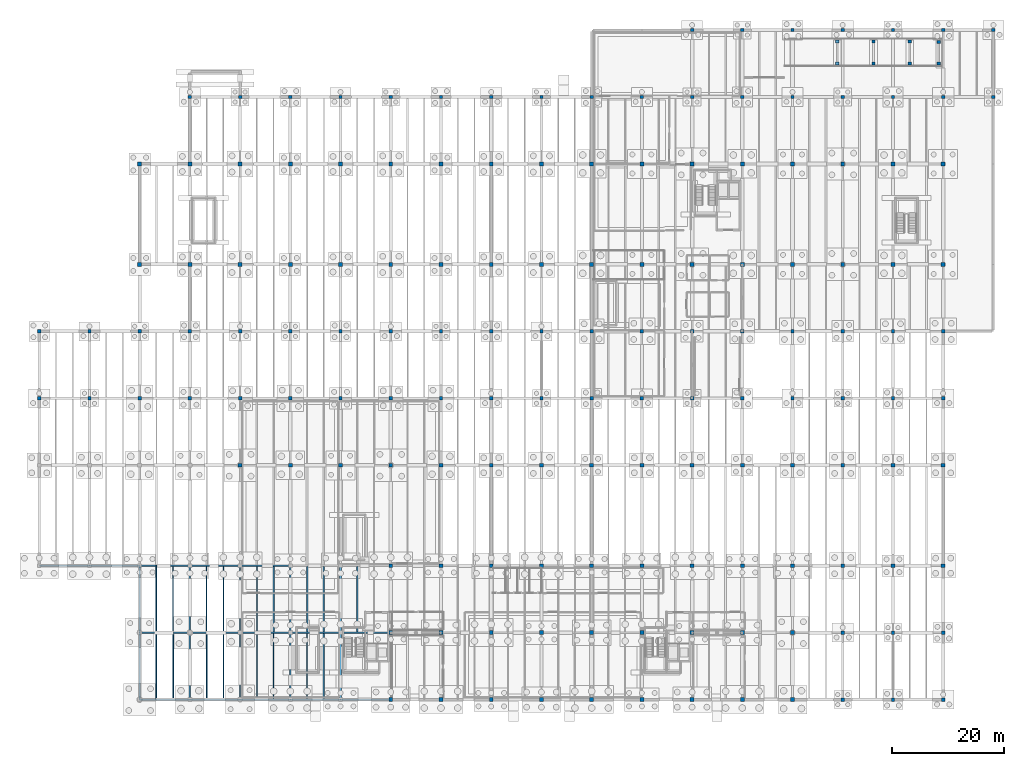
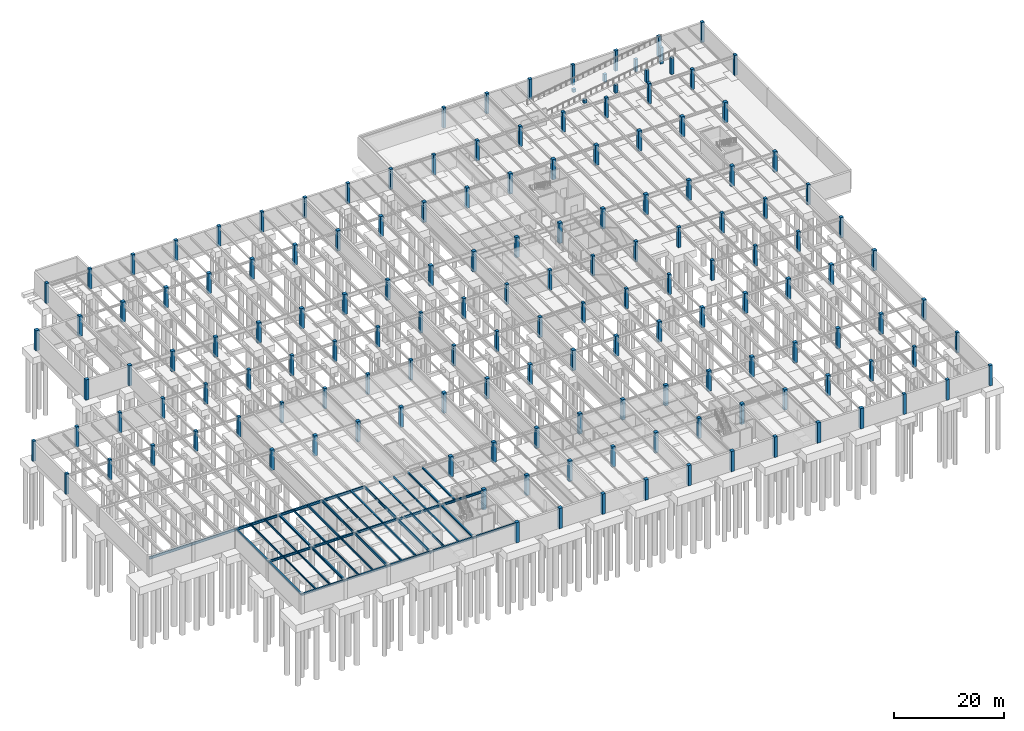
# One storey, part 14 of 40: 155 columns, 42 beams.
"""IFC4 building model written with IfcOpenShell, lengths in metres."""

from ifc_helpers import new_model, si_unit, direction, frame, origin, origin_2d, place, context, subcontext, project, spatial, rectangle, i_section, extrude, material, material_profile, profile_set, type_object, element, save


model = new_model("IFC4")

# Units and contexts
model_context = context("Model", 3, precision=1e-05, world=origin(), true_north=direction((0.0, 1.0)))
body_context = subcontext(model_context, "Body", "Model", "MODEL_VIEW")
ifc_project = project(units=[si_unit("LENGTHUNIT", "METRE"), si_unit("AREAUNIT", "SQUARE_METRE"), si_unit("VOLUMEUNIT", "CUBIC_METRE"), si_unit("PLANEANGLEUNIT", "RADIAN"), si_unit("MASSUNIT", "GRAM", prefix="KILO")], contexts=[model_context])

# Site, building, storey
site_placement = place(None, origin())
site = spatial("IfcSite", under=ifc_project, at=site_placement, CompositionType="ELEMENT")
building_placement = place(site_placement, origin())
building = spatial("IfcBuilding", under=site, at=building_placement, Name="Montelvaro Courts of Justice", CompositionType="ELEMENT")
storey_placement = place(building_placement, frame((0.0, 0.0, -4.5)))
storey = spatial("IfcBuildingStorey", under=building, at=storey_placement, Name="B01", CompositionType="ELEMENT", Elevation=-4.5)

# Columns
ifc_material_1 = material(Name="Concrete C40/50", Category="concrete")
ifc_material_profile_1 = material_profile(ifc_material_1, rectangle(XDim=0.60009765625, YDim=0.60009765625, at=origin_2d()), Name="RC 600x600")
ifc_profile_set_1 = profile_set([ifc_material_profile_1], Name="Concrete C40/50")
column_type_1 = type_object("IfcColumnType", Name="Col_RC600", PredefinedType="COLUMN", material=ifc_profile_set_1)
for number, where, z_axis, x_axis, name in (
    (1, (0.0, 54.0, 0.0), (0.0, 0.0, 1.0), (1.0, 0.0, 0.0), "Column C-21 B01 1/E"),
    (2, (0.0, 66.0, 0.0), (0.0, 0.0, 1.0), (1.0, 0.0, 0.0), "Column C-21 B01 1/F"),
    (3, (9.0, 54.0, 0.0), (0.0, 0.0, 1.0), (1.0, 0.0, 0.0), "Column C-21 B01 2/E"),
    (4, (9.0, 66.0, 0.0), (0.0, 0.0, 1.0), (1.0, 0.0, 0.0), "Column C-21 B01 2/F"),
    (5, (18.0, 54.0, 0.0), (0.0, 0.0, 1.0), (1.0, 0.0, 0.0), "Column C-21 B01 3/E"),
    (6, (18.0, 66.0, 0.0), (0.0, 0.0, 1.0), (1.0, 0.0, 0.0), "Column C-21 B01 3/F"),
    (7, (27.0, 54.0, 0.0), (0.0, 0.0, 1.0), (1.0, 0.0, 0.0), "Column C-21 B01 4/E"),
    (8, (27.0, 66.0, 0.0), (0.0, 0.0, 1.0), (1.0, 0.0, 0.0), "Column C-21 B01 4/F"),
    (9, (27.0, 108.0, 0.0), (0.0, 0.0, 1.0), (1.0, 0.0, 0.0), "Column C-21 B01 4/I"),
    (10, (36.0, 54.0, 0.0), (0.0, 0.0, 1.0), (1.0, 0.0, 0.0), "Column C-21 B01 5/E"),
    (11, (36.0, 66.0, 0.0), (0.0, 0.0, 1.0), (1.0, 0.0, 0.0), "Column C-21 B01 5/F"),
    (12, (36.0, 108.0, 0.0), (0.0, 0.0, 1.0), (1.0, 0.0, 0.0), "Column C-21 B01 5/I"),
    (13, (45.0, 54.0, 0.0), (0.0, 0.0, 1.0), (1.0, 0.0, 0.0), "Column C-21 B01 6/E"),
    (14, (45.0, 66.0, 0.0), (0.0, 0.0, 1.0), (1.0, 0.0, 0.0), "Column C-21 B01 6/F"),
    (15, (45.0, 108.0, 0.0), (0.0, 0.0, 1.0), (1.0, 0.0, 0.0), "Column C-21 B01 6/I"),
    (16, (54.0, 54.0, 0.0), (0.0, 0.0, 1.0), (1.0, 0.0, 0.0), "Column C-21 B01 7/E"),
    (17, (54.0, 66.0, 0.0), (0.0, 0.0, 1.0), (1.0, 0.0, 0.0), "Column C-21 B01 7/F"),
    (18, (54.0, 108.0, 0.0), (0.0, 0.0, 1.0), (1.0, 0.0, 0.0), "Column C-21 B01 7/I"),
    (19, (63.0, 54.0, 0.0), (0.0, 0.0, 1.0), (1.0, 0.0, 0.0), "Column C-21 B01 8/E"),
    (20, (63.0, 66.0, 0.0), (0.0, 0.0, 1.0), (1.0, 0.0, 0.0), "Column C-21 B01 8/F"),
    (21, (63.0, 108.0, 0.0), (0.0, 0.0, 1.0), (1.0, 0.0, 0.0), "Column C-21 B01 8/I"),
    (22, (72.0, 54.0, 0.0), (0.0, 0.0, 1.0), (1.0, 0.0, 0.0), "Column C-21 B01 9/E"),
    (23, (72.0, 66.0, 0.0), (0.0, 0.0, 1.0), (1.0, 0.0, 0.0), "Column C-21 B01 9/F"),
    (24, (72.0, 108.0, 0.0), (0.0, 0.0, 1.0), (1.0, 0.0, 0.0), "Column C-21 B01 9/I"),
    (25, (81.0, 54.0, 0.0), (0.0, 0.0, 1.0), (1.0, 0.0, 0.0), "Column C-21 B01 10/E"),
    (26, (81.0, 66.0, 0.0), (0.0, 0.0, 1.0), (1.0, 0.0, 0.0), "Column C-21 B01 10/F"),
    (27, (81.0, 108.0, 0.0), (0.0, 0.0, 1.0), (1.0, 0.0, 0.0), "Column C-21 B01 10/I"),
    (28, (90.0, 54.0, 0.0), (0.0, 0.0, 1.0), (1.0, 0.0, 0.0), "Column C-21 B01 11/E"),
    (29, (90.0, 66.0, 0.0), (0.0, 0.0, 1.0), (1.0, 0.0, 0.0), "Column C-21 B01 11/F"),
    (30, (90.0, 108.0, 0.0), (0.0, 0.0, 1.0), (1.0, 0.0, 0.0), "Column C-21 B01 11/I"),
    (31, (99.0, 54.0, 0.0), (0.0, 0.0, 1.0), (1.0, 0.0, 0.0), "Column C-21 B01 12/E"),
    (32, (99.0, 66.0, 0.0), (0.0, 0.0, 1.0), (1.0, 0.0, 0.0), "Column C-21 B01 12/F"),
    (33, (99.0, 108.0, 0.0), (0.0, 0.0, 1.0), (1.0, 0.0, 0.0), "Column C-21 B01 12/I"),
    (34, (108.0, 54.0, 0.0), (0.0, 0.0, 1.0), (1.0, 0.0, 0.0), "Column C-21 B01 13/E"),
    (35, (108.0, 66.0, 0.0), (0.0, 0.0, 1.0), (1.0, 0.0, 0.0), "Column C-21 B01 13/F"),
    (36, (108.0, 108.0, 0.0), (0.0, 0.0, 1.0), (1.0, 0.0, 0.0), "Column C-21 B01 13/I"),
    (37, (117.0, 54.0, 0.0), (0.0, 0.0, 1.0), (1.0, 0.0, 0.0), "Column C-21 B01 14/E"),
    (38, (117.0, 66.0, 0.0), (0.0, 0.0, 1.0), (1.0, 0.0, 0.0), "Column C-21 B01 14/F"),
    (39, (117.0, 108.0, 0.0), (0.0, 0.0, 1.0), (1.0, 0.0, 0.0), "Column C-21 B01 14/I"),
    (40, (117.0, 120.0, 0.0), (0.0, 0.0, 1.0), (1.0, 0.0, 0.0), "Column C-21 B01 14/J"),
    (41, (126.0, 54.0, 0.0), (0.0, 0.0, 1.0), (1.0, 0.0, 0.0), "Column C-21 B01 15/E"),
    (42, (126.0, 66.0, 0.0), (0.0, 0.0, 1.0), (1.0, 0.0, 0.0), "Column C-21 B01 15/F"),
    (43, (126.0, 108.0, 0.0), (0.0, 0.0, 1.0), (1.0, 0.0, 0.0), "Column C-21 B01 15/I"),
    (44, (126.0, 120.0, 0.0), (0.0, 0.0, 1.0), (1.0, 0.0, 0.0), "Column C-21 B01 15/J"),
    (45, (135.0, 54.0, 0.0), (0.0, 0.0, 1.0), (1.0, 0.0, 0.0), "Column C-21 B01 16/E"),
    (46, (135.0, 66.0, 0.0), (0.0, 0.0, 1.0), (1.0, 0.0, 0.0), "Column C-21 B01 16/F"),
    (47, (135.0, 108.0, 0.0), (0.0, 0.0, 1.0), (1.0, 0.0, 0.0), "Column C-21 B01 16/I"),
    (48, (135.0, 120.0, 0.0), (0.0, 0.0, 1.0), (1.0, 0.0, 0.0), "Column C-21 B01 16/J"),
    (49, (144.0, 0.0, 0.0), (0.0, 0.0, 1.0), (1.0, 0.0, 0.0), "Column C-21 B01 17/A"),
    (50, (144.0, 12.0, 0.0), (0.0, 0.0, 1.0), (1.0, 0.0, 0.0), "Column C-21 B01 17/B"),
    (51, (144.0, 54.0, 0.0), (0.0, 0.0, 1.0), (1.0, 0.0, 0.0), "Column C-21 B01 17/E"),
    (52, (144.0, 66.0, 0.0), (0.0, 0.0, 1.0), (1.0, 0.0, 0.0), "Column C-21 B01 17/F"),
    (53, (144.0, 108.0, 0.0), (0.0, 0.0, 1.0), (1.0, 0.0, 0.0), "Column C-21 B01 17/I"),
    (54, (144.0, 120.0, 0.0), (0.0, 0.0, 1.0), (1.0, 0.0, 0.0), "Column C-21 B01 17/J"),
    (55, (153.0, 0.0, 0.0), (0.0, 0.0, 1.0), (1.0, 0.0, 0.0), "Column C-21 B01 18/A"),
    (56, (153.0, 12.0, 0.0), (0.0, 0.0, 1.0), (1.0, 0.0, 0.0), "Column C-21 B01 18/B"),
    (57, (153.0, 54.0, 0.0), (0.0, 0.0, 1.0), (1.0, 0.0, 0.0), "Column C-21 B01 18/E"),
    (58, (153.0, 66.0, 0.0), (0.0, 0.0, 1.0), (1.0, 0.0, 0.0), "Column C-21 B01 18/F"),
    (59, (153.0, 108.0, 0.0), (0.0, 0.0, 1.0), (1.0, 0.0, 0.0), "Column C-21 B01 18/I"),
    (60, (153.0, 120.0, 0.0), (0.0, 0.0, 1.0), (1.0, 0.0, 0.0), "Column C-21 B01 18/J"),
    (61, (162.0, 0.0, 0.0), (0.0, 0.0, 1.0), (1.0, 0.0, 0.0), "Column C-21 B01 19/A"),
    (62, (162.0, 12.0, 0.0), (0.0, 0.0, 1.0), (1.0, 0.0, 0.0), "Column C-21 B01 19/B"),
    (63, (162.0, 54.0, 0.0), (0.0, 0.0, 1.0), (1.0, 0.0, 0.0), "Column C-21 B01 19/E"),
    (64, (162.0, 66.0, 0.0), (0.0, 0.0, 1.0), (1.0, 0.0, 0.0), "Column C-21 B01 19/F"),
    (65, (162.0, 108.0, 0.0), (0.0, 0.0, 1.0), (1.0, 0.0, 0.0), "Column C-21 B01 19/I"),
    (66, (162.0, 120.0, 0.0), (0.0, 0.0, 1.0), (1.0, 0.0, 0.0), "Column C-21 B01 19/J"),
    (67, (171.0, 108.0, 0.0), (0.0, 0.0, 1.0), (1.0, 0.0, 0.0), "Column C-21 B01 20/I"),
    (68, (171.0, 120.0, 0.0), (0.0, 0.0, 1.0), (1.0, 0.0, 0.0), "Column C-21 B01 20/J"),
):
    element("IfcColumn", number, at=place(storey_placement, frame(where, z_axis=z_axis, x_axis=x_axis)), inside=storey, type_object=column_type_1, Name=name, PredefinedType="COLUMN", context=body_context, shape_type="SweptSolid", body=[
        extrude(rectangle(XDim=0.60009765625, YDim=0.60009765625, at=origin_2d()), origin(), (0.0, 0.0, 1.0), 4.5),
    ])
for number, where, z_axis, x_axis, name in (
    (69, (161.199951171875, 114.0, 0.0), (0.0, 0.0, 1.0), (1.0, 0.0, 0.0), "Ramp VR-01 Top Pier A"),
    (70, (161.199951171875, 117.85009765625, 0.0), (0.0, 0.0, 1.0), (1.0, 0.0, 0.0), "Ramp VR-01 Top Pier B"),
):
    element("IfcColumn", number, at=place(storey_placement, frame(where, z_axis=z_axis, x_axis=x_axis)), inside=storey, type_object=column_type_1, Name=name, PredefinedType="COLUMN", context=body_context, shape_type="SweptSolid", body=[
        extrude(rectangle(XDim=0.60009765625, YDim=0.60009765625, at=origin_2d()), origin(), (0.0, 0.0, 1.0), 3.6044921875),
    ])
for number, where, z_axis, x_axis, name in (
    (71, (143.0, 114.0, 0.0), (0.0, 0.0, 1.0), (1.0, 0.0, 0.0), "Ramp VR-01 Support Pier 1A"),
    (72, (143.0, 117.949951171875, 0.0), (0.0, 0.0, 1.0), (1.0, 0.0, 0.0), "Ramp VR-01 Support Pier 1B"),
):
    element("IfcColumn", number, at=place(storey_placement, frame(where, z_axis=z_axis, x_axis=x_axis)), inside=storey, type_object=column_type_1, Name=name, PredefinedType="COLUMN", context=body_context, shape_type="SweptSolid", body=[
        extrude(rectangle(XDim=0.60009765625, YDim=0.60009765625, at=origin_2d()), origin(), (0.0, 0.0, 1.0), 0.6796875),
    ])
for number, where, z_axis, x_axis, name in (
    (73, (149.5, 114.0, 0.0), (0.0, 0.0, 1.0), (1.0, 0.0, 0.0), "Ramp VR-01 Support Pier 2A"),
    (74, (149.5, 117.949951171875, 0.0), (0.0, 0.0, 1.0), (1.0, 0.0, 0.0), "Ramp VR-01 Support Pier 2B"),
):
    element("IfcColumn", number, at=place(storey_placement, frame(where, z_axis=z_axis, x_axis=x_axis)), inside=storey, type_object=column_type_1, Name=name, PredefinedType="COLUMN", context=body_context, shape_type="SweptSolid", body=[
        extrude(rectangle(XDim=0.60009765625, YDim=0.60009765625, at=origin_2d()), origin(), (0.0, 0.0, 1.0), 1.724365234375),
    ])
for number, where, z_axis, x_axis, name in (
    (75, (156.0, 114.0, 0.0), (0.0, 0.0, 1.0), (1.0, 0.0, 0.0), "Ramp VR-01 Support Pier 3A"),
    (76, (156.0, 117.949951171875, 0.0), (0.0, 0.0, 1.0), (1.0, 0.0, 0.0), "Ramp VR-01 Support Pier 3B"),
):
    element("IfcColumn", number, at=place(storey_placement, frame(where, z_axis=z_axis, x_axis=x_axis)), inside=storey, type_object=column_type_1, Name=name, PredefinedType="COLUMN", context=body_context, shape_type="SweptSolid", body=[
        extrude(rectangle(XDim=0.60009765625, YDim=0.60009765625, at=origin_2d()), origin(), (0.0, 0.0, 1.0), 2.768798828125),
    ])
ifc_material_profile_2 = material_profile(ifc_material_1, rectangle(XDim=0.699951171875, YDim=0.699951171875, at=origin_2d()), Name="RC 700x700")
ifc_profile_set_2 = profile_set([ifc_material_profile_2], Name="Concrete C40/50")
column_type_2 = type_object("IfcColumnType", Name="Col_RC700", PredefinedType="COLUMN", material=ifc_profile_set_2)
for number, where, z_axis, x_axis, name in (
    (77, (18.0, 78.0, 0.0), (0.0, 0.0, 1.0), (1.0, 0.0, 0.0), "Column C-22 B01 3/G"),
    (78, (18.0, 96.0, 0.0), (0.0, 0.0, 1.0), (1.0, 0.0, 0.0), "Column C-22 B01 3/H"),
    (79, (27.0, 78.0, 0.0), (0.0, 0.0, 1.0), (1.0, 0.0, 0.0), "Column C-22 B01 4/G"),
    (80, (27.0, 96.0, 0.0), (0.0, 0.0, 1.0), (1.0, 0.0, 0.0), "Column C-22 B01 4/H"),
    (81, (36.0, 42.0, 0.0), (0.0, 0.0, 1.0), (1.0, 0.0, 0.0), "Column C-22 B01 5/D"),
    (82, (36.0, 78.0, 0.0), (0.0, 0.0, 1.0), (1.0, 0.0, 0.0), "Column C-22 B01 5/G"),
    (83, (36.0, 96.0, 0.0), (0.0, 0.0, 1.0), (1.0, 0.0, 0.0), "Column C-22 B01 5/H"),
    (84, (45.0, 42.0, 0.0), (0.0, 0.0, 1.0), (1.0, 0.0, 0.0), "Column C-22 B01 6/D"),
    (85, (45.0, 78.0, 0.0), (0.0, 0.0, 1.0), (1.0, 0.0, 0.0), "Column C-22 B01 6/G"),
    (86, (45.0, 96.0, 0.0), (0.0, 0.0, 1.0), (1.0, 0.0, 0.0), "Column C-22 B01 6/H"),
    (87, (54.0, 42.0, 0.0), (0.0, 0.0, 1.0), (1.0, 0.0, 0.0), "Column C-22 B01 7/D"),
    (88, (54.0, 78.0, 0.0), (0.0, 0.0, 1.0), (1.0, 0.0, 0.0), "Column C-22 B01 7/G"),
    (89, (54.0, 96.0, 0.0), (0.0, 0.0, 1.0), (1.0, 0.0, 0.0), "Column C-22 B01 7/H"),
    (90, (63.0, 0.0, 0.0), (0.0, 0.0, 1.0), (1.0, 0.0, 0.0), "Column C-22 B01 8/A"),
    (91, (63.0, 12.0, 0.0), (0.0, 0.0, 1.0), (1.0, 0.0, 0.0), "Column C-22 B01 8/B"),
    (92, (63.0, 24.0, 0.0), (0.0, 0.0, 1.0), (1.0, 0.0, 0.0), "Column C-22 B01 8/C"),
    (93, (63.0, 42.0, 0.0), (0.0, 0.0, 1.0), (1.0, 0.0, 0.0), "Column C-22 B01 8/D"),
    (94, (63.0, 78.0, 0.0), (0.0, 0.0, 1.0), (1.0, 0.0, 0.0), "Column C-22 B01 8/G"),
    (95, (63.0, 96.0, 0.0), (0.0, 0.0, 1.0), (1.0, 0.0, 0.0), "Column C-22 B01 8/H"),
    (96, (72.0, 0.0, 0.0), (0.0, 0.0, 1.0), (1.0, 0.0, 0.0), "Column C-22 B01 9/A"),
    (97, (72.0, 12.0, 0.0), (0.0, 0.0, 1.0), (1.0, 0.0, 0.0), "Column C-22 B01 9/B"),
    (98, (72.0, 24.0, 0.0), (0.0, 0.0, 1.0), (1.0, 0.0, 0.0), "Column C-22 B01 9/C"),
    (99, (72.0, 42.0, 0.0), (0.0, 0.0, 1.0), (1.0, 0.0, 0.0), "Column C-22 B01 9/D"),
    (100, (72.0, 78.0, 0.0), (0.0, 0.0, 1.0), (1.0, 0.0, 0.0), "Column C-22 B01 9/G"),
    (101, (72.0, 96.0, 0.0), (0.0, 0.0, 1.0), (1.0, 0.0, 0.0), "Column C-22 B01 9/H"),
    (102, (81.0, 0.0, 0.0), (0.0, 0.0, 1.0), (1.0, 0.0, 0.0), "Column C-22 B01 10/A"),
    (103, (81.0, 12.0, 0.0), (0.0, 0.0, 1.0), (1.0, 0.0, 0.0), "Column C-22 B01 10/B"),
    (104, (81.0, 24.0, 0.0), (0.0, 0.0, 1.0), (1.0, 0.0, 0.0), "Column C-22 B01 10/C"),
    (105, (81.0, 42.0, 0.0), (0.0, 0.0, 1.0), (1.0, 0.0, 0.0), "Column C-22 B01 10/D"),
    (106, (81.0, 78.0, 0.0), (0.0, 0.0, 1.0), (1.0, 0.0, 0.0), "Column C-22 B01 10/G"),
    (107, (81.0, 96.0, 0.0), (0.0, 0.0, 1.0), (1.0, 0.0, 0.0), "Column C-22 B01 10/H"),
    (108, (90.0, 0.0, 0.0), (0.0, 0.0, 1.0), (1.0, 0.0, 0.0), "Column C-22 B01 11/A"),
    (109, (90.0, 12.0, 0.0), (0.0, 0.0, 1.0), (1.0, 0.0, 0.0), "Column C-22 B01 11/B"),
    (110, (90.0, 24.0, 0.0), (0.0, 0.0, 1.0), (1.0, 0.0, 0.0), "Column C-22 B01 11/C"),
    (111, (90.0, 42.0, 0.0), (0.0, 0.0, 1.0), (1.0, 0.0, 0.0), "Column C-22 B01 11/D"),
    (112, (90.0, 78.0, 0.0), (0.0, 0.0, 1.0), (1.0, 0.0, 0.0), "Column C-22 B01 11/G"),
    (113, (90.0, 96.0, 0.0), (0.0, 0.0, 1.0), (1.0, 0.0, 0.0), "Column C-22 B01 11/H"),
    (114, (99.0, 0.0, 0.0), (0.0, 0.0, 1.0), (1.0, 0.0, 0.0), "Column C-22 B01 12/A"),
    (115, (99.0, 12.0, 0.0), (0.0, 0.0, 1.0), (1.0, 0.0, 0.0), "Column C-22 B01 12/B"),
    (116, (99.0, 24.0, 0.0), (0.0, 0.0, 1.0), (1.0, 0.0, 0.0), "Column C-22 B01 12/C"),
    (117, (99.0, 42.0, 0.0), (0.0, 0.0, 1.0), (1.0, 0.0, 0.0), "Column C-22 B01 12/D"),
    (118, (99.0, 78.0, 0.0), (0.0, 0.0, 1.0), (1.0, 0.0, 0.0), "Column C-22 B01 12/G"),
    (119, (99.0, 96.0, 0.0), (0.0, 0.0, 1.0), (1.0, 0.0, 0.0), "Column C-22 B01 12/H"),
    (120, (108.0, 0.0, 0.0), (0.0, 0.0, 1.0), (1.0, 0.0, 0.0), "Column C-22 B01 13/A"),
    (121, (108.0, 12.0, 0.0), (0.0, 0.0, 1.0), (1.0, 0.0, 0.0), "Column C-22 B01 13/B"),
    (122, (108.0, 24.0, 0.0), (0.0, 0.0, 1.0), (1.0, 0.0, 0.0), "Column C-22 B01 13/C"),
    (123, (108.0, 42.0, 0.0), (0.0, 0.0, 1.0), (1.0, 0.0, 0.0), "Column C-22 B01 13/D"),
    (124, (108.0, 78.0, 0.0), (0.0, 0.0, 1.0), (1.0, 0.0, 0.0), "Column C-22 B01 13/G"),
    (125, (108.0, 96.0, 0.0), (0.0, 0.0, 1.0), (1.0, 0.0, 0.0), "Column C-22 B01 13/H"),
    (126, (117.0, 0.0, 0.0), (0.0, 0.0, 1.0), (1.0, 0.0, 0.0), "Column C-22 B01 14/A"),
    (127, (117.0, 12.0, 0.0), (0.0, 0.0, 1.0), (1.0, 0.0, 0.0), "Column C-22 B01 14/B"),
    (128, (117.0, 24.0, 0.0), (0.0, 0.0, 1.0), (1.0, 0.0, 0.0), "Column C-22 B01 14/C"),
    (129, (117.0, 42.0, 0.0), (0.0, 0.0, 1.0), (1.0, 0.0, 0.0), "Column C-22 B01 14/D"),
    (130, (117.0, 78.0, 0.0), (0.0, 0.0, 1.0), (1.0, 0.0, 0.0), "Column C-22 B01 14/G"),
    (131, (117.0, 96.0, 0.0), (0.0, 0.0, 1.0), (1.0, 0.0, 0.0), "Column C-22 B01 14/H"),
    (132, (126.0, 0.0, 0.0), (0.0, 0.0, 1.0), (1.0, 0.0, 0.0), "Column C-22 B01 15/A"),
    (133, (126.0, 12.0, 0.0), (0.0, 0.0, 1.0), (1.0, 0.0, 0.0), "Column C-22 B01 15/B"),
    (134, (126.0, 24.0, 0.0), (0.0, 0.0, 1.0), (1.0, 0.0, 0.0), "Column C-22 B01 15/C"),
    (135, (126.0, 42.0, 0.0), (0.0, 0.0, 1.0), (1.0, 0.0, 0.0), "Column C-22 B01 15/D"),
    (136, (126.0, 78.0, 0.0), (0.0, 0.0, 1.0), (1.0, 0.0, 0.0), "Column C-22 B01 15/G"),
    (137, (126.0, 96.0, 0.0), (0.0, 0.0, 1.0), (1.0, 0.0, 0.0), "Column C-22 B01 15/H"),
    (138, (135.0, 0.0, 0.0), (0.0, 0.0, 1.0), (1.0, 0.0, 0.0), "Column C-22 B01 16/A"),
    (139, (135.0, 12.0, 0.0), (0.0, 0.0, 1.0), (1.0, 0.0, 0.0), "Column C-22 B01 16/B"),
    (140, (135.0, 24.0, 0.0), (0.0, 0.0, 1.0), (1.0, 0.0, 0.0), "Column C-22 B01 16/C"),
    (141, (135.0, 42.0, 0.0), (0.0, 0.0, 1.0), (1.0, 0.0, 0.0), "Column C-22 B01 16/D"),
    (142, (135.0, 78.0, 0.0), (0.0, 0.0, 1.0), (1.0, 0.0, 0.0), "Column C-22 B01 16/G"),
    (143, (135.0, 96.0, 0.0), (0.0, 0.0, 1.0), (1.0, 0.0, 0.0), "Column C-22 B01 16/H"),
    (144, (144.0, 24.0, 0.0), (0.0, 0.0, 1.0), (1.0, 0.0, 0.0), "Column C-22 B01 17/C"),
    (145, (144.0, 42.0, 0.0), (0.0, 0.0, 1.0), (1.0, 0.0, 0.0), "Column C-22 B01 17/D"),
    (146, (144.0, 78.0, 0.0), (0.0, 0.0, 1.0), (1.0, 0.0, 0.0), "Column C-22 B01 17/G"),
    (147, (144.0, 96.0, 0.0), (0.0, 0.0, 1.0), (1.0, 0.0, 0.0), "Column C-22 B01 17/H"),
    (148, (153.0, 24.0, 0.0), (0.0, 0.0, 1.0), (1.0, 0.0, 0.0), "Column C-22 B01 18/C"),
    (149, (153.0, 42.0, 0.0), (0.0, 0.0, 1.0), (1.0, 0.0, 0.0), "Column C-22 B01 18/D"),
    (150, (153.0, 78.0, 0.0), (0.0, 0.0, 1.0), (1.0, 0.0, 0.0), "Column C-22 B01 18/G"),
    (151, (153.0, 96.0, 0.0), (0.0, 0.0, 1.0), (1.0, 0.0, 0.0), "Column C-22 B01 18/H"),
    (152, (162.0, 24.0, 0.0), (0.0, 0.0, 1.0), (1.0, 0.0, 0.0), "Column C-22 B01 19/C"),
    (153, (162.0, 42.0, 0.0), (0.0, 0.0, 1.0), (1.0, 0.0, 0.0), "Column C-22 B01 19/D"),
    (154, (162.0, 78.0, 0.0), (0.0, 0.0, 1.0), (1.0, 0.0, 0.0), "Column C-22 B01 19/G"),
    (155, (162.0, 96.0, 0.0), (0.0, 0.0, 1.0), (1.0, 0.0, 0.0), "Column C-22 B01 19/H"),
):
    element("IfcColumn", number, at=place(storey_placement, frame(where, z_axis=z_axis, x_axis=x_axis)), inside=storey, type_object=column_type_2, Name=name, PredefinedType="COLUMN", context=body_context, shape_type="SweptSolid", body=[
        extrude(rectangle(XDim=0.699951171875, YDim=0.699951171875, at=origin_2d()), origin(), (0.0, 0.0, 1.0), 4.5),
    ])

# Beams
ifc_material_2 = material(Name="Steel S355", Category="steel")
ifc_material_profile_3 = material_profile(ifc_material_2, i_section(OverallWidth=0.280029296875, OverallDepth=0.27001953125, WebThickness=0.008056640625, FlangeThickness=0.012939453125, at=origin_2d()), Name="HEA 280")
ifc_profile_set_3 = profile_set([ifc_material_profile_3], Name="Steel S355")
beam_type_1 = type_object("IfcBeamType", Name="Beam_HEA280", PredefinedType="BEAM", material=ifc_profile_set_3)
for number, where, z_axis, x_axis, name in (
    (156, (42.0, 12.110107421875, 4.18505859375), (0.0, 1.0, 0.0), (-1.0, 0.0, 0.0), "Beam B-14 B01"),
    (157, (51.0, 0.110107421875, 4.044921875), (0.0, 1.0, 0.0), (-1.0, 0.0, 0.0), "Beam B-14 B01"),
    (158, (48.0, 12.110107421875, 4.044921875), (0.0, 1.0, 0.0), (-1.0, 0.0, 0.0), "Beam B-14 B01"),
):
    element("IfcBeam", number, at=place(storey_placement, frame(where, z_axis=z_axis, x_axis=x_axis)), inside=storey, type_object=beam_type_1, Name=name, PredefinedType="BEAM", context=body_context, shape_type="SweptSolid", body=[
        extrude(i_section(OverallWidth=0.280029296875, OverallDepth=0.27001953125, WebThickness=0.008056640625, FlangeThickness=0.012939453125, at=origin_2d()), origin(), (0.0, 0.0, 1.0), 11.77978515625),
    ])
ifc_material_profile_4 = material_profile(ifc_material_2, i_section(OverallWidth=0.300048828125, OverallDepth=0.31005859375, WebThickness=0.009033203125, FlangeThickness=0.015380859375, at=origin_2d()), Name="HEA 320")
ifc_profile_set_4 = profile_set([ifc_material_profile_4], Name="Steel S355")
beam_type_2 = type_object("IfcBeamType", Name="Beam_HEA320", PredefinedType="BEAM", material=ifc_profile_set_4)
for number, where, z_axis, x_axis, name in (
    (159, (51.0, 12.110107421875, 4.02490234375), (0.0, 1.0, 0.0), (-1.0, 0.0, 0.0), "Beam B-15 B01"),
    (160, (57.0, 12.110107421875, 4.02490234375), (0.0, 1.0, 0.0), (-1.0, 0.0, 0.0), "Beam B-15 B01"),
):
    element("IfcBeam", number, at=place(storey_placement, frame(where, z_axis=z_axis, x_axis=x_axis)), inside=storey, type_object=beam_type_2, Name=name, PredefinedType="BEAM", context=body_context, shape_type="SweptSolid", body=[
        extrude(i_section(OverallWidth=0.300048828125, OverallDepth=0.31005859375, WebThickness=0.009033203125, FlangeThickness=0.015380859375, at=origin_2d()), origin(), (0.0, 0.0, 1.0), 11.77978515625),
    ])
ifc_material_profile_5 = material_profile(ifc_material_2, i_section(OverallWidth=0.300048828125, OverallDepth=0.35009765625, WebThickness=0.010009765625, FlangeThickness=0.017578125, at=origin_2d()), Name="HEA 360")
ifc_profile_set_5 = profile_set([ifc_material_profile_5], Name="Steel S355")
beam_type_3 = type_object("IfcBeamType", Name="Beam_HEA360", PredefinedType="USERDEFINED", material=ifc_profile_set_5)
for number, where, z_axis, x_axis, name in (
    (161, (54.0, 0.0, 4.0048828125), (0.0, 1.0, 0.0), (-1.0, 0.0, 0.0), "Beam B-16 B01"),
    (162, (54.0, 12.0, 4.0048828125), (0.0, 1.0, 0.0), (-1.0, 0.0, 0.0), "Beam B-16 B01"),
):
    element("IfcBeam", number, at=place(storey_placement, frame(where, z_axis=z_axis, x_axis=x_axis)), inside=storey, type_object=beam_type_3, Name=name, ObjectType="GIRDER", PredefinedType="USERDEFINED", context=body_context, shape_type="SweptSolid", body=[
        extrude(i_section(OverallWidth=0.300048828125, OverallDepth=0.35009765625, WebThickness=0.010009765625, FlangeThickness=0.017578125, at=origin_2d()), origin(), (0.0, 0.0, 1.0), 12.0),
    ])
ifc_material_profile_6 = material_profile(ifc_material_2, i_section(OverallWidth=0.300048828125, OverallDepth=0.43994140625, WebThickness=0.011474609375, FlangeThickness=0.02099609375, at=origin_2d()), Name="HEA 450")
ifc_profile_set_6 = profile_set([ifc_material_profile_6], Name="Steel S355")
beam_type_4 = type_object("IfcBeamType", Name="Beam_HEA450", PredefinedType="USERDEFINED", material=ifc_profile_set_6)
for number, where, z_axis, x_axis, name in (
    (163, (18.0, 0.0, 4.10009765625), (1.0, 0.0, 0.0), (0.0, 1.0, 0.0), "Beam B-18 B01"),
    (164, (27.0, 0.0, 4.10009765625), (1.0, 0.0, 0.0), (0.0, 1.0, 0.0), "Beam B-18 B01"),
    (165, (36.0, 0.0, 4.10009765625), (1.0, 0.0, 0.0), (0.0, 1.0, 0.0), "Beam B-18 B01"),
    (166, (45.0, 0.0, 4.10009765625), (1.0, 0.0, 0.0), (0.0, 1.0, 0.0), "Beam B-18 B01"),
    (167, (54.0, 0.0, 4.10009765625), (1.0, 0.0, 0.0), (0.0, 1.0, 0.0), "Beam B-18 B01"),
):
    element("IfcBeam", number, at=place(storey_placement, frame(where, z_axis=z_axis, x_axis=x_axis)), inside=storey, type_object=beam_type_4, Name=name, ObjectType="GIRDER", PredefinedType="USERDEFINED", context=body_context, shape_type="SweptSolid", body=[
        extrude(i_section(OverallWidth=0.300048828125, OverallDepth=0.43994140625, WebThickness=0.011474609375, FlangeThickness=0.02099609375, at=origin_2d()), origin(), (0.0, 0.0, 1.0), 9.0),
    ])
for number, where, z_axis, x_axis, name in (
    (168, (18.0, 0.0, 4.10009765625), (0.0, 1.0, 0.0), (-1.0, 0.0, 0.0), "Beam B-18 B01"),
    (169, (18.0, 12.0, 4.10009765625), (0.0, 1.0, 0.0), (-1.0, 0.0, 0.0), "Beam B-18 B01"),
):
    element("IfcBeam", number, at=place(storey_placement, frame(where, z_axis=z_axis, x_axis=x_axis)), inside=storey, type_object=beam_type_4, Name=name, ObjectType="GIRDER", PredefinedType="USERDEFINED", context=body_context, shape_type="SweptSolid", body=[
        extrude(i_section(OverallWidth=0.300048828125, OverallDepth=0.43994140625, WebThickness=0.011474609375, FlangeThickness=0.02099609375, at=origin_2d()), origin(), (0.0, 0.0, 1.0), 12.0),
    ])
ifc_material_profile_7 = material_profile(ifc_material_2, i_section(OverallWidth=0.300048828125, OverallDepth=0.489990234375, WebThickness=0.011962890625, FlangeThickness=0.02294921875, at=origin_2d()), Name="HEA 500")
ifc_profile_set_7 = profile_set([ifc_material_profile_7], Name="Steel S355")
beam_type_5 = type_object("IfcBeamType", Name="Beam_HEA500", PredefinedType="USERDEFINED", material=ifc_profile_set_7)
for number, where, z_axis, x_axis, name in (
    (170, (18.0, 12.0, 4.074951171875), (1.0, 0.0, 0.0), (0.0, 1.0, 0.0), "Beam B-19 B01"),
    (171, (27.0, 12.0, 4.074951171875), (1.0, 0.0, 0.0), (0.0, 1.0, 0.0), "Beam B-19 B01"),
    (172, (36.0, 12.0, 4.074951171875), (1.0, 0.0, 0.0), (0.0, 1.0, 0.0), "Beam B-19 B01"),
    (173, (45.0, 12.0, 3.93505859375), (1.0, 0.0, 0.0), (0.0, 1.0, 0.0), "Beam B-19 B01"),
    (174, (54.0, 12.0, 3.93505859375), (1.0, 0.0, 0.0), (0.0, 1.0, 0.0), "Beam B-19 B01"),
):
    element("IfcBeam", number, at=place(storey_placement, frame(where, z_axis=z_axis, x_axis=x_axis)), inside=storey, type_object=beam_type_5, Name=name, ObjectType="GIRDER", PredefinedType="USERDEFINED", context=body_context, shape_type="SweptSolid", body=[
        extrude(i_section(OverallWidth=0.300048828125, OverallDepth=0.489990234375, WebThickness=0.011962890625, FlangeThickness=0.02294921875, at=origin_2d()), origin(), (0.0, 0.0, 1.0), 9.0),
    ])
for number, where, z_axis, x_axis, name in (
    (175, (27.0, 0.0, 4.074951171875), (0.0, 1.0, 0.0), (-1.0, 0.0, 0.0), "Beam B-19 B01"),
    (176, (27.0, 12.0, 4.074951171875), (0.0, 1.0, 0.0), (-1.0, 0.0, 0.0), "Beam B-19 B01"),
):
    element("IfcBeam", number, at=place(storey_placement, frame(where, z_axis=z_axis, x_axis=x_axis)), inside=storey, type_object=beam_type_5, Name=name, ObjectType="GIRDER", PredefinedType="USERDEFINED", context=body_context, shape_type="SweptSolid", body=[
        extrude(i_section(OverallWidth=0.300048828125, OverallDepth=0.489990234375, WebThickness=0.011962890625, FlangeThickness=0.02294921875, at=origin_2d()), origin(), (0.0, 0.0, 1.0), 12.0),
    ])
ifc_material_profile_8 = material_profile(ifc_material_2, i_section(OverallWidth=0.300048828125, OverallDepth=0.5400390625, WebThickness=0.012451171875, FlangeThickness=0.02392578125, at=origin_2d()), Name="HEA 550")
ifc_profile_set_8 = profile_set([ifc_material_profile_8], Name="Steel S355")
beam_type_6 = type_object("IfcBeamType", Name="Beam_HEA550", PredefinedType="USERDEFINED", material=ifc_profile_set_8)
for number, where, z_axis, x_axis, name in (
    (177, (0.0, 24.0, 3.889892578125), (1.0, 0.0, 0.0), (0.0, 1.0, 0.0), "Beam B-20 B01"),
    (178, (9.0, 24.0, 3.889892578125), (1.0, 0.0, 0.0), (0.0, 1.0, 0.0), "Beam B-20 B01"),
    (179, (18.0, 24.0, 3.889892578125), (1.0, 0.0, 0.0), (0.0, 1.0, 0.0), "Beam B-20 B01"),
    (180, (27.0, 24.0, 3.889892578125), (1.0, 0.0, 0.0), (0.0, 1.0, 0.0), "Beam B-20 B01"),
    (181, (36.0, 24.0, 3.889892578125), (1.0, 0.0, 0.0), (0.0, 1.0, 0.0), "Beam B-20 B01"),
):
    element("IfcBeam", number, at=place(storey_placement, frame(where, z_axis=z_axis, x_axis=x_axis)), inside=storey, type_object=beam_type_6, Name=name, ObjectType="GIRDER", PredefinedType="USERDEFINED", context=body_context, shape_type="SweptSolid", body=[
        extrude(i_section(OverallWidth=0.300048828125, OverallDepth=0.5400390625, WebThickness=0.012451171875, FlangeThickness=0.02392578125, at=origin_2d()), origin(), (0.0, 0.0, 1.0), 9.0),
    ])
ifc_material_profile_9 = material_profile(ifc_material_2, i_section(OverallWidth=0.169921875, OverallDepth=0.360107421875, WebThickness=0.008056640625, FlangeThickness=0.0126953125, at=origin_2d()), Name="IPE 360")
ifc_profile_set_9 = profile_set([ifc_material_profile_9], Name="Steel S355")
beam_type_7 = type_object("IfcBeamType", Name="Beam_IPE360", PredefinedType="BEAM", material=ifc_profile_set_9)
beam_placement = place(storey_placement, frame((21.0, 0.110107421875, 4.139892578125), z_axis=(0.0, 1.0, 0.0), x_axis=(-1.0, 0.0, 0.0)))
element("IfcBeam", 182, at=beam_placement, inside=storey, type_object=beam_type_7, Name="Beam B-07 B01", PredefinedType="BEAM", context=body_context, shape_type="SweptSolid", body=[
    extrude(i_section(OverallWidth=0.169921875, OverallDepth=0.360107421875, WebThickness=0.008056640625, FlangeThickness=0.0126953125, at=origin_2d()), origin(), (0.0, 0.0, 1.0), 11.77978515625),
])
ifc_material_profile_10 = material_profile(ifc_material_2, i_section(OverallWidth=0.179931640625, OverallDepth=0.39990234375, WebThickness=0.008544921875, FlangeThickness=0.013427734375, at=origin_2d()), Name="IPE 400")
ifc_profile_set_10 = profile_set([ifc_material_profile_10], Name="Steel S355")
beam_type_8 = type_object("IfcBeamType", Name="Beam_IPE400", PredefinedType="BEAM", material=ifc_profile_set_10)
for number, where, z_axis, x_axis, name in (
    (183, (24.0, 0.110107421875, 4.1201171875), (0.0, 1.0, 0.0), (-1.0, 0.0, 0.0), "Beam B-08 B01"),
    (184, (21.0, 12.110107421875, 4.1201171875), (0.0, 1.0, 0.0), (-1.0, 0.0, 0.0), "Beam B-08 B01"),
    (185, (30.0, 0.110107421875, 4.1201171875), (0.0, 1.0, 0.0), (-1.0, 0.0, 0.0), "Beam B-08 B01"),
):
    element("IfcBeam", number, at=place(storey_placement, frame(where, z_axis=z_axis, x_axis=x_axis)), inside=storey, type_object=beam_type_8, Name=name, PredefinedType="BEAM", context=body_context, shape_type="SweptSolid", body=[
        extrude(i_section(OverallWidth=0.179931640625, OverallDepth=0.39990234375, WebThickness=0.008544921875, FlangeThickness=0.013427734375, at=origin_2d()), origin(), (0.0, 0.0, 1.0), 11.77978515625),
    ])
ifc_material_profile_11 = material_profile(ifc_material_2, i_section(OverallWidth=0.18994140625, OverallDepth=0.449951171875, WebThickness=0.009521484375, FlangeThickness=0.0146484375, at=origin_2d()), Name="IPE 450")
ifc_profile_set_11 = profile_set([ifc_material_profile_11], Name="Steel S355")
beam_type_9 = type_object("IfcBeamType", Name="Beam_IPE450", PredefinedType="BEAM", material=ifc_profile_set_11)
for number, where, z_axis, x_axis, name in (
    (186, (24.0, 12.110107421875, 4.094970703125), (0.0, 1.0, 0.0), (-1.0, 0.0, 0.0), "Beam B-09 B01"),
    (187, (33.0, 0.110107421875, 4.094970703125), (0.0, 1.0, 0.0), (-1.0, 0.0, 0.0), "Beam B-09 B01"),
    (188, (30.0, 12.110107421875, 4.094970703125), (0.0, 1.0, 0.0), (-1.0, 0.0, 0.0), "Beam B-09 B01"),
    (189, (39.0, 0.110107421875, 4.094970703125), (0.0, 1.0, 0.0), (-1.0, 0.0, 0.0), "Beam B-09 B01"),
):
    element("IfcBeam", number, at=place(storey_placement, frame(where, z_axis=z_axis, x_axis=x_axis)), inside=storey, type_object=beam_type_9, Name=name, PredefinedType="BEAM", context=body_context, shape_type="SweptSolid", body=[
        extrude(i_section(OverallWidth=0.18994140625, OverallDepth=0.449951171875, WebThickness=0.009521484375, FlangeThickness=0.0146484375, at=origin_2d()), origin(), (0.0, 0.0, 1.0), 11.77978515625),
    ])
ifc_material_profile_12 = material_profile(ifc_material_2, i_section(OverallWidth=0.199951171875, OverallDepth=0.5, WebThickness=0.01025390625, FlangeThickness=0.01611328125, at=origin_2d()), Name="IPE 500")
ifc_profile_set_12 = profile_set([ifc_material_profile_12], Name="Steel S355")
beam_type_10 = type_object("IfcBeamType", Name="Beam_IPE500", PredefinedType="BEAM", material=ifc_profile_set_12)
for number, where, z_axis, x_axis, name in (
    (190, (33.0, 12.110107421875, 4.070068359375), (0.0, 1.0, 0.0), (-1.0, 0.0, 0.0), "Beam B-10 B01"),
    (191, (42.0, 0.110107421875, 4.070068359375), (0.0, 1.0, 0.0), (-1.0, 0.0, 0.0), "Beam B-10 B01"),
    (192, (39.0, 12.110107421875, 4.070068359375), (0.0, 1.0, 0.0), (-1.0, 0.0, 0.0), "Beam B-10 B01"),
    (193, (48.0, 0.110107421875, 3.929931640625), (0.0, 1.0, 0.0), (-1.0, 0.0, 0.0), "Beam B-10 B01"),
):
    element("IfcBeam", number, at=place(storey_placement, frame(where, z_axis=z_axis, x_axis=x_axis)), inside=storey, type_object=beam_type_10, Name=name, PredefinedType="BEAM", context=body_context, shape_type="SweptSolid", body=[
        extrude(i_section(OverallWidth=0.199951171875, OverallDepth=0.5, WebThickness=0.01025390625, FlangeThickness=0.01611328125, at=origin_2d()), origin(), (0.0, 0.0, 1.0), 11.77978515625),
    ])
ifc_material_profile_13 = material_profile(ifc_material_2, i_section(OverallWidth=0.2099609375, OverallDepth=0.550048828125, WebThickness=0.010986328125, FlangeThickness=0.01708984375, at=origin_2d()), Name="IPE 550")
ifc_profile_set_13 = profile_set([ifc_material_profile_13], Name="Steel S355")
beam_type_11 = type_object("IfcBeamType", Name="Beam_IPE550", PredefinedType="BEAM", material=ifc_profile_set_13)
for number, where, z_axis, x_axis, name in (
    (194, (36.0, 0.0, 4.044921875), (0.0, 1.0, 0.0), (-1.0, 0.0, 0.0), "Beam B-11 B01"),
    (195, (36.0, 12.0, 4.044921875), (0.0, 1.0, 0.0), (-1.0, 0.0, 0.0), "Beam B-11 B01"),
):
    element("IfcBeam", number, at=place(storey_placement, frame(where, z_axis=z_axis, x_axis=x_axis)), inside=storey, type_object=beam_type_11, Name=name, PredefinedType="BEAM", context=body_context, shape_type="SweptSolid", body=[
        extrude(i_section(OverallWidth=0.2099609375, OverallDepth=0.550048828125, WebThickness=0.010986328125, FlangeThickness=0.01708984375, at=origin_2d()), origin(), (0.0, 0.0, 1.0), 12.0),
    ])
ifc_material_profile_14 = material_profile(ifc_material_2, i_section(OverallWidth=0.219970703125, OverallDepth=0.60009765625, WebThickness=0.011962890625, FlangeThickness=0.01904296875, at=origin_2d()), Name="IPE 600")
ifc_profile_set_14 = profile_set([ifc_material_profile_14], Name="Steel S355")
beam_type_12 = type_object("IfcBeamType", Name="Beam_IPE600", PredefinedType="USERDEFINED", material=ifc_profile_set_14)
for number, where, z_axis, x_axis, name in (
    (196, (45.0, 0.0, 3.8798828125), (0.0, 1.0, 0.0), (-1.0, 0.0, 0.0), "Beam B-12 B01"),
    (197, (45.0, 12.0, 3.8798828125), (0.0, 1.0, 0.0), (-1.0, 0.0, 0.0), "Beam B-12 B01"),
):
    element("IfcBeam", number, at=place(storey_placement, frame(where, z_axis=z_axis, x_axis=x_axis)), inside=storey, type_object=beam_type_12, Name=name, ObjectType="GIRDER", PredefinedType="USERDEFINED", context=body_context, shape_type="SweptSolid", body=[
        extrude(i_section(OverallWidth=0.219970703125, OverallDepth=0.60009765625, WebThickness=0.011962890625, FlangeThickness=0.01904296875, at=origin_2d()), origin(), (0.0, 0.0, 1.0), 12.0),
    ])

save(model, "model.ifc")
